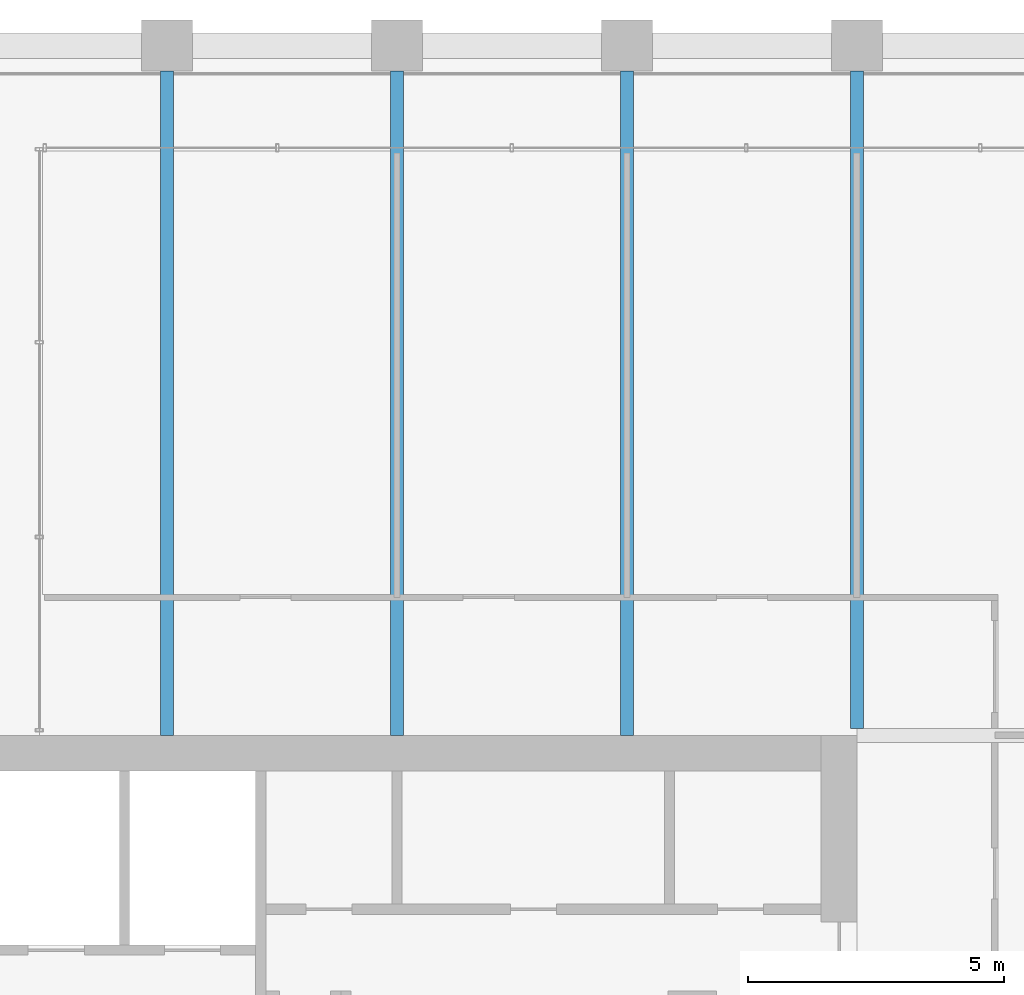
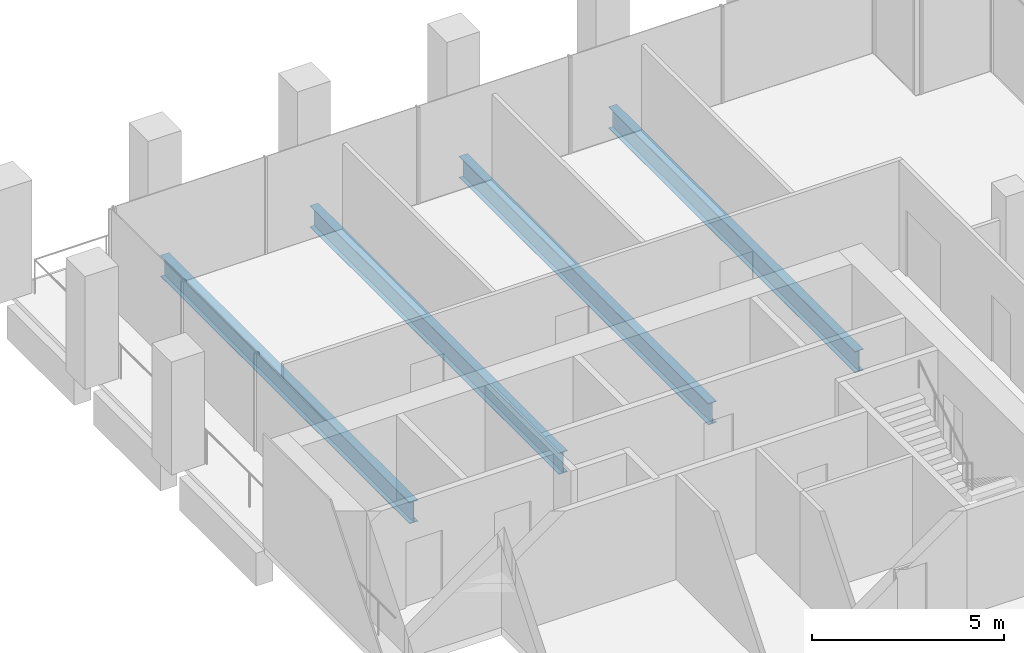
# One storey, part 22 of 46: 4 beams.
"""IFC4 building model written with IfcOpenShell, lengths in metres."""

from ifc_helpers import new_model, si_unit, direction, frame, origin, origin_2d, place, context, subcontext, project, spatial, i_section, extrude, material, material_profile, profile_set, type_object, element, save


model = new_model("IFC4")

# Units and contexts
model_context = context("Model", 3, precision=1e-05, world=origin(), true_north=direction((0.0, 1.0)))
body_context = subcontext(model_context, "Body", "Model", "MODEL_VIEW")
ifc_project = project(units=[si_unit("LENGTHUNIT", "METRE"), si_unit("AREAUNIT", "SQUARE_METRE"), si_unit("VOLUMEUNIT", "CUBIC_METRE"), si_unit("PLANEANGLEUNIT", "RADIAN"), si_unit("MASSUNIT", "GRAM", prefix="KILO")], contexts=[model_context])

# Site, building, storey
site_placement = place(None, origin())
site = spatial("IfcSite", under=ifc_project, at=site_placement, CompositionType="ELEMENT")
building_placement = place(site_placement, origin())
building = spatial("IfcBuilding", under=site, at=building_placement, Name="Altepetl Exchange Towers", CompositionType="ELEMENT")
storey_placement = place(building_placement, frame((0.0, 0.0, 131.60009765625)))
storey = spatial("IfcBuildingStorey", under=building, at=storey_placement, Name="L32", CompositionType="ELEMENT", Elevation=131.60009765625)

# Beams
ifc_material = material(Name="Steel S355", Category="steel")
ifc_material_profile = material_profile(ifc_material, i_section(OverallWidth=0.25390625, OverallDepth=0.68408203125, WebThickness=0.012451171875, FlangeThickness=0.018798828125, at=origin_2d()), Name="W27X94")
ifc_profile_set = profile_set([ifc_material_profile], Name="Steel S355")
beam_type = type_object("IfcBeamType", Name="Floor beam W27X94", PredefinedType="BEAM", material=ifc_profile_set)
for number, where, z_axis, x_axis, name in (
    (1, (45.0, 58.5, -0.4921875), (0.0, 1.0, 0.0), (-1.0, 0.0, 0.0), "bm:A:L32:000"),
    (2, (49.5, 58.5, -0.4921875), (0.0, 1.0, 0.0), (-1.0, 0.0, 0.0), "bm:A:L32:001"),
    (3, (54.0, 58.5, -0.4921875), (0.0, 1.0, 0.0), (-1.0, 0.0, 0.0), "bm:A:L32:002"),
):
    element("IfcBeam", number, at=place(storey_placement, frame(where, z_axis=z_axis, x_axis=x_axis)), inside=storey, type_object=beam_type, Name=name, PredefinedType="BEAM", context=body_context, shape_type="SweptSolid", body=[
        extrude(i_section(OverallWidth=0.25390625, OverallDepth=0.68408203125, WebThickness=0.012451171875, FlangeThickness=0.018798828125, at=origin_2d()), origin(), (0.0, 0.0, 1.0), 13.0),
    ])
beam_placement = place(storey_placement, frame((58.5, 58.634033203125, -0.4921875), z_axis=(0.0, 1.0, 0.0), x_axis=(-1.0, 0.0, 0.0)))
element("IfcBeam", 4, at=beam_placement, inside=storey, type_object=beam_type, Name="bm:A:L32:003", PredefinedType="BEAM", context=body_context, shape_type="SweptSolid", body=[
    extrude(i_section(OverallWidth=0.25390625, OverallDepth=0.68408203125, WebThickness=0.012451171875, FlangeThickness=0.018798828125, at=origin_2d()), origin(), (0.0, 0.0, 1.0), 12.865966796875),
])

save(model, "model.ifc")
